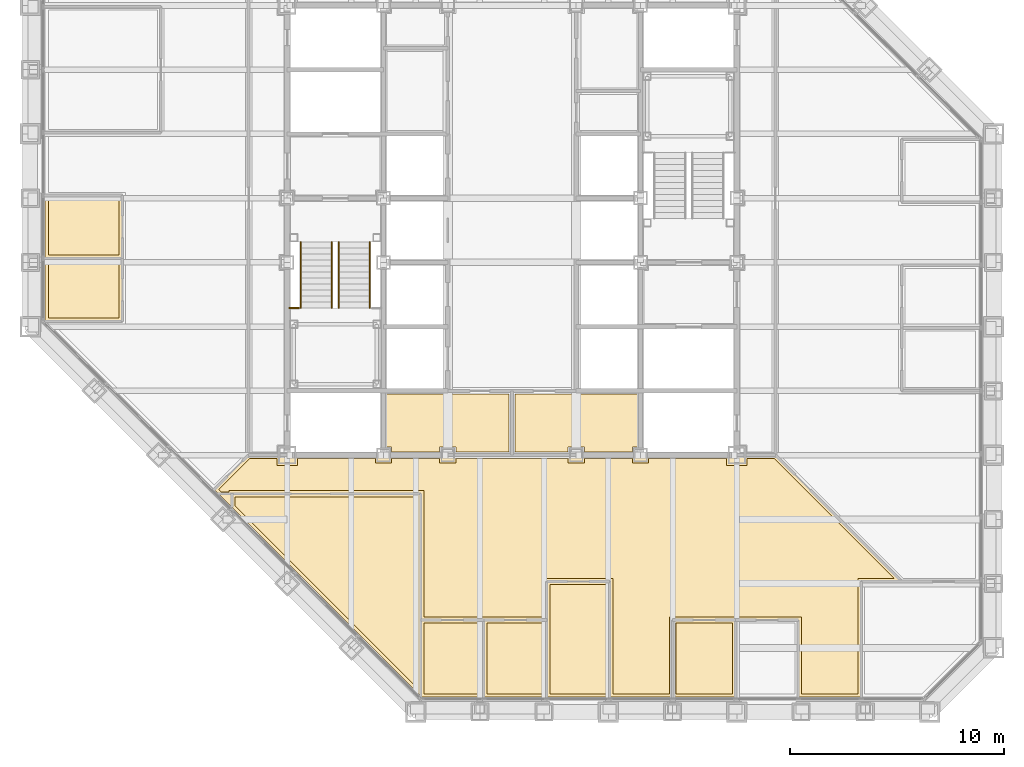
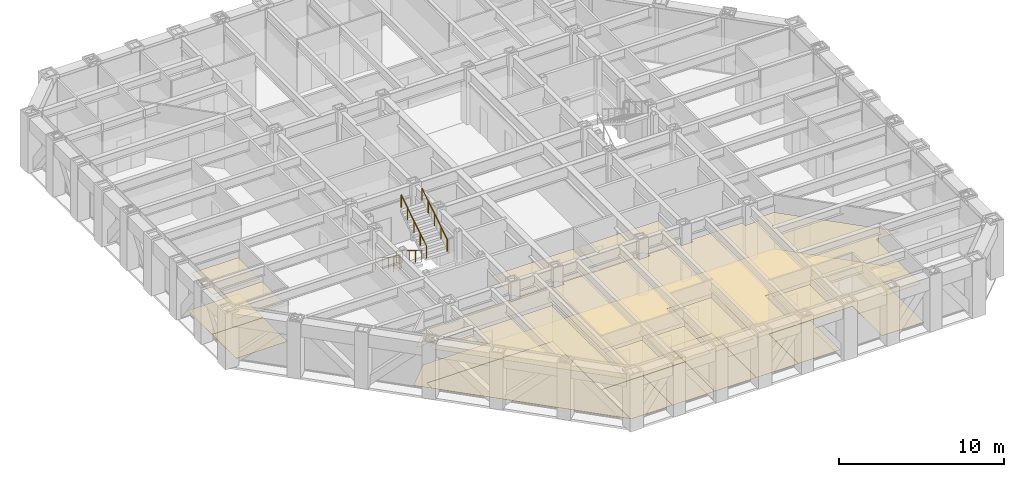
# One storey, part 14 of 17: 18 coverings, 5 railings.
"""IFC4 building model written with IfcOpenShell, lengths in metres."""

from ifc_helpers import new_model, si_unit, direction, frame, origin, origin_2d, place, context, subcontext, project, spatial, polyline, circle, outline, extrude, material, layer, layer_set, type_object, element, save


model = new_model("IFC4")

# Units and contexts
model_context = context("Model", 3, precision=1e-05, world=origin(), true_north=direction((0.0, 1.0)))
body_context = subcontext(model_context, "Body", "Model", "MODEL_VIEW")
ifc_project = project(units=[si_unit("LENGTHUNIT", "METRE"), si_unit("AREAUNIT", "SQUARE_METRE"), si_unit("VOLUMEUNIT", "CUBIC_METRE"), si_unit("PLANEANGLEUNIT", "RADIAN"), si_unit("MASSUNIT", "GRAM", prefix="KILO")], contexts=[model_context])

# Site, building, storey
site_placement = place(None, origin())
site = spatial("IfcSite", under=ifc_project, at=site_placement, CompositionType="ELEMENT")
building_placement = place(site_placement, origin())
building = spatial("IfcBuilding", under=site, at=building_placement, Name="Chuquiago Exchange Tower", CompositionType="ELEMENT")
storey_placement = place(building_placement, frame((0.0, 0.0, 165.60009765625)))
storey = spatial("IfcBuildingStorey", under=building, at=storey_placement, Name="L36", CompositionType="ELEMENT", Elevation=165.60009765625)

# Coverings
ifc_material_1 = material(Name="Mineral fibre tile, 600 x 600, on pale metal grid", Category="mineral fibre")
ifc_layer_1 = layer(ifc_material_1, 0.02001953125)
ifc_layer_set_1 = layer_set([ifc_layer_1], Name="CL1 suspended tile ceiling 20")
covering_type_1 = type_object("IfcCoveringType", Name="CL1 suspended tile ceiling 20", PredefinedType="CEILING", material=ifc_layer_set_1)
covering_1_placement = place(storey_placement, frame((0.0, 0.0, 2.7998046875)))
element("IfcCovering", 1, at=covering_1_placement, inside=storey, type_object=covering_type_1, Name="Ceiling Broker lounge", PredefinedType="CEILING", context=body_context, shape_type="SweptSolid", body=[
    extrude(outline(polyline([(9.57421875, 10.050048828125), (18.098388671875, 10.050048828125), (18.098388671875, 1.103515625), (9.57421875, 9.627685546875), (9.57421875, 10.050048828125)])), origin(), (0.0, 0.0, 1.0), 0.02001953125),
])
covering_2_placement = place(storey_placement, frame((0.0, 0.0, 2.7998046875)))
element("IfcCovering", 2, at=covering_2_placement, inside=storey, type_object=covering_type_1, Name="Ceiling Focus room", PredefinedType="CEILING", context=body_context, shape_type="SweptSolid", body=[
    extrude(outline(polyline([(18.3984375, 4.14990234375), (21.036376953125, 4.14990234375), (21.036376953125, 0.85009765625), (18.3984375, 0.85009765625), (18.3984375, 4.14990234375)])), origin(), (0.0, 0.0, 1.0), 0.02001953125),
])
covering_3_placement = place(storey_placement, frame((0.0, 0.0, 2.7998046875)))
element("IfcCovering", 3, at=covering_3_placement, inside=storey, type_object=covering_type_1, Name="Ceiling Focus room", PredefinedType="CEILING", context=body_context, shape_type="SweptSolid", body=[
    extrude(outline(polyline([(21.33642578125, 4.14990234375), (23.974365234375, 4.14990234375), (23.974365234375, 0.85009765625), (21.33642578125, 0.85009765625), (21.33642578125, 4.14990234375)])), origin(), (0.0, 0.0, 1.0), 0.02001953125),
])
covering_4_placement = place(storey_placement, frame((0.0, 0.0, 2.7998046875)))
element("IfcCovering", 4, at=covering_4_placement, inside=storey, type_object=covering_type_1, Name="Ceiling Meeting room", PredefinedType="CEILING", context=body_context, shape_type="SweptSolid", body=[
    extrude(outline(polyline([(24.2744140625, 5.949951171875), (26.912109375, 5.949951171875), (26.912109375, 0.85009765625), (24.2744140625, 0.85009765625), (24.2744140625, 5.949951171875)])), origin(), (0.0, 0.0, 1.0), 0.02001953125),
])
covering_5_placement = place(storey_placement, frame((0.0, 0.0, 2.7998046875)))
element("IfcCovering", 5, at=covering_5_placement, inside=storey, type_object=covering_type_1, Name="Ceiling Focus room", PredefinedType="CEILING", context=body_context, shape_type="SweptSolid", body=[
    extrude(outline(polyline([(30.14990234375, 4.14990234375), (32.787841796875, 4.14990234375), (32.787841796875, 0.85009765625), (30.14990234375, 0.85009765625), (30.14990234375, 4.14990234375)])), origin(), (0.0, 0.0, 1.0), 0.02001953125),
])
covering_6_placement = place(storey_placement, frame((0.0, 0.0, 2.7998046875)))
element("IfcCovering", 6, at=covering_6_placement, inside=storey, type_object=covering_type_1, Name="Ceiling Focus room", PredefinedType="CEILING", context=body_context, shape_type="SweptSolid", body=[
    extrude(outline(polyline([(0.85009765625, 21.036376953125), (4.14990234375, 21.036376953125), (4.14990234375, 18.3984375), (0.85009765625, 18.3984375), (0.85009765625, 21.036376953125)])), origin(), (0.0, 0.0, 1.0), 0.02001953125),
])
covering_7_placement = place(storey_placement, frame((0.0, 0.0, 2.7998046875)))
element("IfcCovering", 7, at=covering_7_placement, inside=storey, type_object=covering_type_1, Name="Ceiling Focus room", PredefinedType="CEILING", context=body_context, shape_type="SweptSolid", body=[
    extrude(outline(polyline([(4.14990234375, 23.974365234375), (4.14990234375, 21.33642578125), (0.85009765625, 21.33642578125), (0.85009765625, 23.974365234375), (4.14990234375, 23.974365234375)])), origin(), (0.0, 0.0, 1.0), 0.02001953125),
])
covering_8_placement = place(storey_placement, frame((0.0, 0.0, 2.7998046875)))
element("IfcCovering", 8, at=covering_8_placement, inside=storey, type_object=covering_type_1, Name="Ceiling Open office south", PredefinedType="CEILING", context=body_context, shape_type="SweptSolid", body=[
    extrude(outline(polyline([(38.66357421875, 0.85009765625), (36.025634765625, 0.85009765625), (36.025634765625, 4.449951171875), (29.85009765625, 4.449951171875), (29.85009765625, 0.85009765625), (27.212158203125, 0.85009765625), (27.212158203125, 6.25), (23.974365234375, 6.25), (23.974365234375, 4.449951171875), (18.3984375, 4.449951171875), (18.3984375, 10.35009765625), (9.2744140625, 10.35009765625), (9.2744140625, 10.27001953125), (8.931884765625, 10.27001953125), (8.807373046875, 10.39453125), (10.2626953125, 11.85009765625), (11.52490234375, 11.85009765625), (11.52490234375, 11.52490234375), (12.47509765625, 11.52490234375), (12.47509765625, 11.85009765625), (16.125, 11.85009765625), (16.125, 11.625), (16.875, 11.625), (16.875, 11.85009765625), (19.125, 11.85009765625), (19.125, 11.625), (19.875, 11.625), (19.875, 11.85009765625), (25.125, 11.85009765625), (25.125, 11.625), (25.875, 11.625), (25.875, 11.85009765625), (28.125, 11.85009765625), (28.125, 11.625), (28.875, 11.625), (28.875, 11.85009765625), (32.52490234375, 11.85009765625), (32.52490234375, 11.52490234375), (33.47509765625, 11.52490234375), (33.47509765625, 11.85009765625), (34.7373046875, 11.85009765625), (40.337158203125, 6.25), (38.66357421875, 6.25), (38.66357421875, 0.85009765625)])), origin(), (0.0, 0.0, 1.0), 0.02001953125),
])
ifc_material_2 = material(Name="Moisture resistant plasterboard on metal frame", Category="gypsum")
ifc_layer_2 = layer(ifc_material_2, 0.014892578125)
ifc_layer_set_2 = layer_set([ifc_layer_2], Name="CL2 moisture resistant ceiling 15")
covering_type_2 = type_object("IfcCoveringType", Name="CL2 moisture resistant ceiling 15", PredefinedType="CEILING", material=ifc_layer_set_2)
covering_9_placement = place(storey_placement, frame((0.0, 0.0, 2.599853515625)))
element("IfcCovering", 9, at=covering_9_placement, inside=storey, type_object=covering_type_2, Name="Ceiling Accessible WC", PredefinedType="CEILING", context=body_context, shape_type="SweptSolid", body=[
    extrude(outline(polyline([(25.875, 12.14990234375), (25.875, 12.375), (25.125, 12.375), (25.125, 12.14990234375), (22.64990234375, 12.14990234375), (22.64990234375, 14.85009765625), (28.35009765625, 14.85009765625), (28.35009765625, 12.375), (28.125, 12.375), (28.125, 12.14990234375), (25.875, 12.14990234375)])), origin(), (0.0, 0.0, 1.0), 0.01513671875),
])
covering_10_placement = place(storey_placement, frame((0.0, 0.0, 2.599853515625)))
element("IfcCovering", 10, at=covering_10_placement, inside=storey, type_object=covering_type_2, Name="Ceiling Cleaner", PredefinedType="CEILING", context=body_context, shape_type="SweptSolid", body=[
    extrude(outline(polyline([(19.875, 12.14990234375), (19.875, 12.375), (19.125, 12.375), (19.125, 12.14990234375), (16.875, 12.14990234375), (16.875, 12.375), (16.64990234375, 12.375), (16.64990234375, 14.85009765625), (22.35009765625, 14.85009765625), (22.35009765625, 12.14990234375), (19.875, 12.14990234375)])), origin(), (0.0, 0.0, 1.0), 0.01513671875),
])
ifc_material_3 = material(Name="Carpet tile, 500 x 500, on the floor slab", Category="textile")
ifc_layer_3 = layer(ifc_material_3, 0.010009765625)
ifc_layer_set_3 = layer_set([ifc_layer_3], Name="FL1 carpet tile 10")
covering_type_3 = type_object("IfcCoveringType", Name="FL1 carpet tile 10", PredefinedType="FLOORING", material=ifc_layer_set_3)
covering_11_placement = place(storey_placement, origin())
element("IfcCovering", 11, at=covering_11_placement, inside=storey, type_object=covering_type_3, Name="Floor finish Focus room", PredefinedType="FLOORING", context=body_context, shape_type="SweptSolid", body=[
    extrude(outline(polyline([(18.289794921875, 0.699951171875), (18.24853515625, 0.741455078125), (18.24853515625, 4.300048828125), (21.186279296875, 4.300048828125), (21.186279296875, 0.699951171875), (18.289794921875, 0.699951171875)])), origin(), (0.0, 0.0, 1.0), 0.010009765625),
])
covering_12_placement = place(storey_placement, origin())
element("IfcCovering", 12, at=covering_12_placement, inside=storey, type_object=covering_type_3, Name="Floor finish Focus room", PredefinedType="FLOORING", context=body_context, shape_type="SweptSolid", body=[
    extrude(outline(polyline([(21.186279296875, 0.699951171875), (21.186279296875, 4.300048828125), (24.124267578125, 4.300048828125), (24.124267578125, 0.699951171875), (21.186279296875, 0.699951171875)])), origin(), (0.0, 0.0, 1.0), 0.010009765625),
])
covering_13_placement = place(storey_placement, origin())
element("IfcCovering", 13, at=covering_13_placement, inside=storey, type_object=covering_type_3, Name="Floor finish Meeting room", PredefinedType="FLOORING", context=body_context, shape_type="SweptSolid", body=[
    extrude(outline(polyline([(24.124267578125, 0.699951171875), (24.124267578125, 6.10009765625), (27.06201171875, 6.10009765625), (27.06201171875, 0.699951171875), (24.124267578125, 0.699951171875)])), origin(), (0.0, 0.0, 1.0), 0.010009765625),
])
covering_14_placement = place(storey_placement, origin())
element("IfcCovering", 14, at=covering_14_placement, inside=storey, type_object=covering_type_3, Name="Floor finish Focus room", PredefinedType="FLOORING", context=body_context, shape_type="SweptSolid", body=[
    extrude(outline(polyline([(30.0, 0.699951171875), (30.0, 4.300048828125), (32.93798828125, 4.300048828125), (32.93798828125, 0.699951171875), (30.0, 0.699951171875)])), origin(), (0.0, 0.0, 1.0), 0.010009765625),
])
covering_15_placement = place(storey_placement, origin())
element("IfcCovering", 15, at=covering_15_placement, inside=storey, type_object=covering_type_3, Name="Floor finish Focus room", PredefinedType="FLOORING", context=body_context, shape_type="SweptSolid", body=[
    extrude(outline(polyline([(0.699951171875, 21.186279296875), (4.300048828125, 21.186279296875), (4.300048828125, 18.24853515625), (0.741455078125, 18.24853515625), (0.699951171875, 18.289794921875), (0.699951171875, 21.186279296875)])), origin(), (0.0, 0.0, 1.0), 0.010009765625),
])
covering_16_placement = place(storey_placement, origin())
element("IfcCovering", 16, at=covering_16_placement, inside=storey, type_object=covering_type_3, Name="Floor finish Focus room", PredefinedType="FLOORING", context=body_context, shape_type="SweptSolid", body=[
    extrude(outline(polyline([(0.699951171875, 24.124267578125), (4.300048828125, 24.124267578125), (4.300048828125, 21.186279296875), (0.699951171875, 21.186279296875), (0.699951171875, 24.124267578125)])), origin(), (0.0, 0.0, 1.0), 0.010009765625),
])
covering_17_placement = place(storey_placement, origin())
element("IfcCovering", 17, at=covering_17_placement, inside=storey, type_object=covering_type_3, Name="Floor finish Open office south", PredefinedType="FLOORING", context=body_context, shape_type="SweptSolid", body=[
    extrude(outline(polyline([(38.813720703125, 6.10009765625), (38.813720703125, 0.699951171875), (35.875732421875, 0.699951171875), (35.875732421875, 4.300048828125), (30.0, 4.300048828125), (30.0, 0.699951171875), (27.06201171875, 0.699951171875), (27.06201171875, 6.10009765625), (24.124267578125, 6.10009765625), (24.124267578125, 4.300048828125), (18.24853515625, 4.300048828125), (18.24853515625, 10.199951171875), (9.42431640625, 10.199951171875), (9.42431640625, 9.565673828125), (8.59521484375, 10.39453125), (10.200439453125, 12.0), (34.799560546875, 12.0), (40.69921875, 6.10009765625), (38.813720703125, 6.10009765625)])), origin(), (0.0, 0.0, 1.0), 0.010009765625),
])
ifc_material_4 = material(Name="Porcelain floor tile, 600 x 600, on adhesive bed", Category="ceramic")
ifc_layer_4 = layer(ifc_material_4, 0.014892578125)
ifc_layer_set_4 = layer_set([ifc_layer_4], Name="FL2 porcelain tile 15")
covering_type_4 = type_object("IfcCoveringType", Name="FL2 porcelain tile 15", PredefinedType="FLOORING", material=ifc_layer_set_4)
covering_18_placement = place(storey_placement, origin())
element("IfcCovering", 18, at=covering_18_placement, inside=storey, type_object=covering_type_4, Name="Floor finish Broker lounge", PredefinedType="FLOORING", context=body_context, shape_type="SweptSolid", body=[
    extrude(outline(polyline([(9.42431640625, 9.565673828125), (9.42431640625, 10.199951171875), (18.24853515625, 10.199951171875), (18.24853515625, 0.741455078125), (9.42431640625, 9.565673828125)])), origin(), (0.0, 0.0, 1.0), 0.014892578125),
])

# Railings
ifc_material_5 = material(Name="Pale metal guard with safety glass infill", Category="glass")
railing_type_1 = type_object("IfcRailingType", Name="GR1 guard 1100", PredefinedType="GUARDRAIL", material=ifc_material_5)
railing_placement = place(storey_placement, frame((12.10009765625, 18.8701171875, 2.099853515625)))
element("IfcRailing", 19, at=railing_placement, inside=storey, type_object=railing_type_1, Name="Guard ST1 L36 landing 2", PredefinedType="GUARDRAIL", context=body_context, shape_type="SweptSolid", body=[
    extrude(circle(Radius=0.02392578125, at=origin_2d()), frame((0.0, 0.0, 1.076171875), z_axis=(1.0, 0.0, 0.0), x_axis=(0.0, 1.0, 0.0)), (0.0, 0.0, 1.0), 0.454833984375),
    extrude(circle(Radius=0.02099609375, at=origin_2d()), origin(), (0.0, 0.0, 1.0), 1.052001953125),
    extrude(circle(Radius=0.02099609375, at=origin_2d()), frame((0.454833984375, 0.0, 0.0)), (0.0, 0.0, 1.0), 1.052001953125),
])
ifc_material_6 = material(Name="Pale metal handrail", Category="steel")
railing_type_2 = type_object("IfcRailingType", Name="HR1 handrail 900", PredefinedType="HANDRAIL", material=ifc_material_6)
for number, where, name in (
    (20, (12.635009765625, 21.949951171875, 0.1748046875), "Handrail ST1 L36 flight 1"),
    (21, (14.0849609375, 21.949951171875, 0.1748046875), "Handrail ST1 L36 flight 1"),
):
    element("IfcRailing", number, at=place(storey_placement, frame(where)), inside=storey, type_object=railing_type_2, Name=name, PredefinedType="HANDRAIL", context=body_context, shape_type="SweptSolid", body=[
        extrude(circle(Radius=0.02392578125, at=origin_2d()), frame((0.0, 0.0, 0.8759765625), z_axis=(0.0, -0.847979421464, 0.530029150871), x_axis=(1.0, 0.0, 0.0)), (0.0, 0.0, 1.0), 3.632080078125),
        extrude(circle(Radius=0.02099609375, at=origin_2d()), origin(), (0.0, 0.0, 1.0), 0.851806640625),
        extrude(circle(Radius=0.02099609375, at=origin_2d()), frame((0.0, -0.77001953125, 0.481201171875)), (0.0, 0.0, 1.0), 0.851806640625),
        extrude(circle(Radius=0.02099609375, at=origin_2d()), frame((0.0, -1.5400390625, 0.96240234375)), (0.0, 0.0, 1.0), 0.851806640625),
        extrude(circle(Radius=0.02099609375, at=origin_2d()), frame((0.0, -2.309814453125, 1.44384765625)), (0.0, 0.0, 1.0), 0.851806640625),
        extrude(circle(Radius=0.02099609375, at=origin_2d()), frame((0.0, -3.079833984375, 1.925048828125)), (0.0, 0.0, 1.0), 0.851806640625),
    ])
for number, where, name in (
    (22, (15.864990234375, 18.8701171875, 2.27490234375), "Handrail ST1 L36 flight 2"),
    (23, (14.4150390625, 18.8701171875, 2.27490234375), "Handrail ST1 L36 flight 2"),
):
    element("IfcRailing", number, at=place(storey_placement, frame(where)), inside=storey, type_object=railing_type_2, Name=name, PredefinedType="HANDRAIL", context=body_context, shape_type="SweptSolid", body=[
        extrude(circle(Radius=0.02392578125, at=origin_2d()), frame((0.0, 0.0, 0.8759765625), z_axis=(0.0, 0.847979421464, 0.530029150871), x_axis=(-1.0, 0.0, 0.0)), (0.0, 0.0, 1.0), 3.632080078125),
        extrude(circle(Radius=0.02099609375, at=origin_2d()), origin(), (0.0, 0.0, 1.0), 0.851806640625),
        extrude(circle(Radius=0.02099609375, at=origin_2d()), frame((0.0, 0.77001953125, 0.481201171875)), (0.0, 0.0, 1.0), 0.851806640625),
        extrude(circle(Radius=0.02099609375, at=origin_2d()), frame((0.0, 1.5400390625, 0.96240234375)), (0.0, 0.0, 1.0), 0.851806640625),
        extrude(circle(Radius=0.02099609375, at=origin_2d()), frame((0.0, 2.309814453125, 1.44384765625)), (0.0, 0.0, 1.0), 0.851806640625),
        extrude(circle(Radius=0.02099609375, at=origin_2d()), frame((0.0, 3.079833984375, 1.925048828125)), (0.0, 0.0, 1.0), 0.851806640625),
    ])

save(model, "model.ifc")
